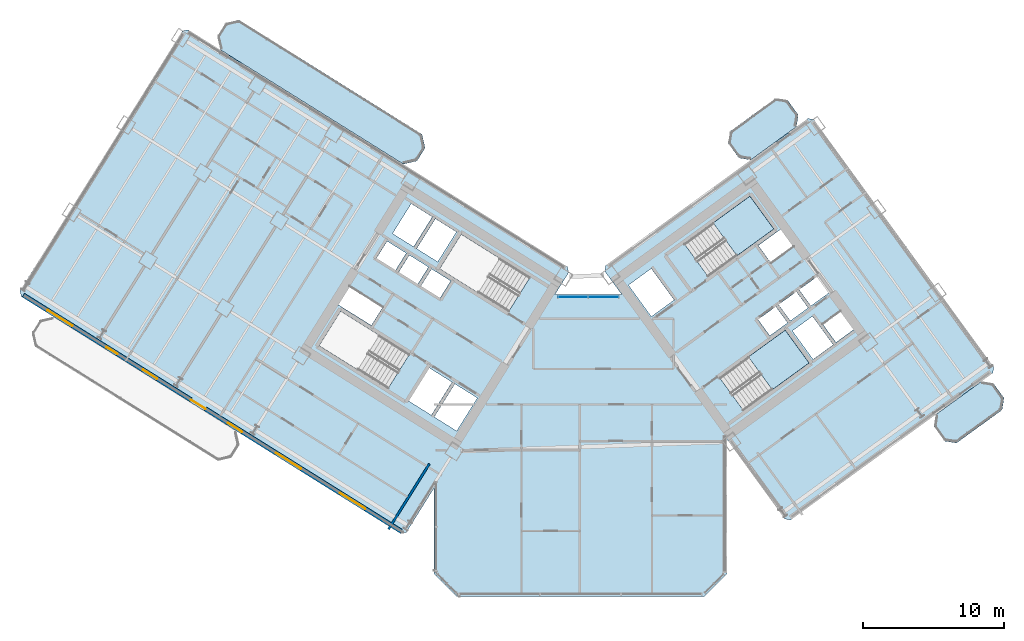
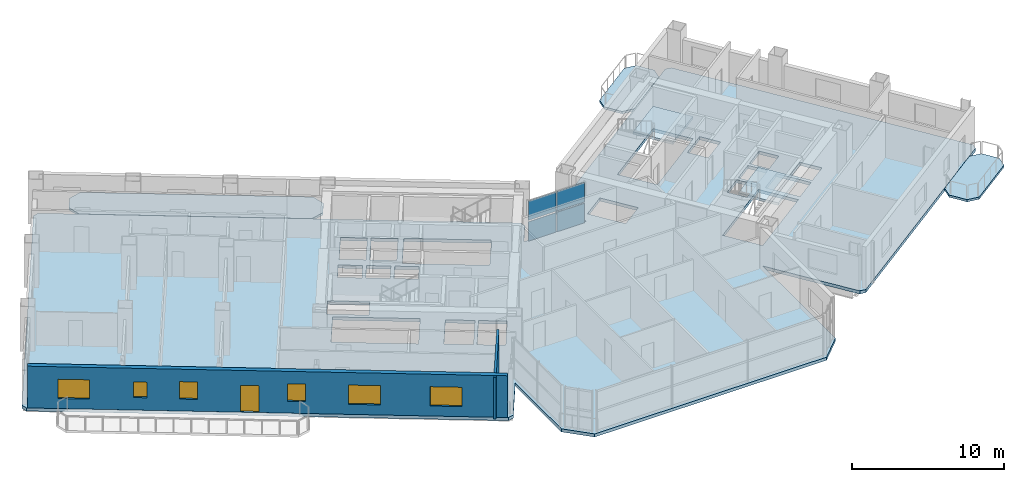
# One storey, part 14 of 28: 6 slabs, 6 windows, 4 plates, 2 walls, 1 door, 7 openings, 3 elements without a shape of their own.
"""IFC4 building model written with IfcOpenShell, lengths in metres."""

import ifcopenshell
import ifcopenshell.guid

model = None  # the IFC model being written
_history = None  # IfcOwnerHistory: only IFC2X3 demands one
_inside = {}  # id of a spatial element -> (the spatial element, [elements in it])
_under = {}  # id of a project, library or spatial element -> (it, [spatial elements below it])
_declared = {}  # id of a project -> (the project, [libraries it declares])
_typed = {}  # id of a type object -> (the type object, [elements of that type])
_made_of = {}  # id of a material, layer set ... -> (it, [elements and type objects made of it])


def new_model(schema):
    """Start an empty IFC model of exactly this schema.

    Asked for "IFC4X3", IfcOpenShell would pick the latest addendum, in which some entities
    have other attributes; the version numbers below select the first issue.
    IFC2X3 requires an IfcOwnerHistory on every rooted entity: one is made here for all.
    """
    global model, _history
    if schema == "IFC4X3":
        model = ifcopenshell.file(schema_version=(4, 3, 0, 0))
    else:
        model = ifcopenshell.file(schema=schema)
    _inside.clear()
    _under.clear()
    _declared.clear()
    _typed.clear()
    _made_of.clear()
    _history = None
    if model.schema == "IFC2X3":
        org = make("IfcOrganization", Name="unknown")
        user = make(
            "IfcPersonAndOrganization",
            ThePerson=make("IfcPerson", FamilyName="unknown"),
            TheOrganization=org,
        )
        app = make(
            "IfcApplication",
            ApplicationDeveloper=org,
            Version="unknown",
            ApplicationFullName="unknown",
            ApplicationIdentifier="unknown",
        )
        _history = make(
            "IfcOwnerHistory",
            OwningUser=user,
            OwningApplication=app,
            ChangeAction="ADDED",
            CreationDate=0,
        )
    return model


def make(cls, **values):
    """One entity of the class cls with the attributes given. An attribute that is None is left unset."""
    return model.create_entity(
        cls, **{name: value for name, value in values.items() if value is not None}
    )


def rooted(cls, **values):
    """An entity with a GlobalId (a new one), such as an element, a storey or a relation."""
    return make(cls, GlobalId=ifcopenshell.guid.new(), OwnerHistory=_history, **values)


def si_unit(unit_type, name, prefix=None):
    """IfcSIUnit, for example si_unit("LENGTHUNIT", "METRE", prefix="MILLI")."""
    return make("IfcSIUnit", UnitType=unit_type, Prefix=prefix, Name=name)


def assignment(units):
    """IfcUnitAssignment: the units of a project."""
    return None if units is None else make("IfcUnitAssignment", Units=units)


def point(xyz):
    """IfcCartesianPoint."""
    return None if xyz is None else make("IfcCartesianPoint", Coordinates=xyz)


def direction(xyz):
    """IfcDirection."""
    return None if xyz is None else make("IfcDirection", DirectionRatios=xyz)


def frame(location, z_axis=None, x_axis=None):
    """IfcAxis2Placement3D, a coordinate frame: its origin and axes. An axis left out is left unset."""
    return make(
        "IfcAxis2Placement3D",
        Location=point(location),
        Axis=direction(z_axis),
        RefDirection=direction(x_axis),
    )


def frame_2d(location, x_axis=None):
    """IfcAxis2Placement2D, a coordinate frame in the plane: its origin and x axis."""
    return make(
        "IfcAxis2Placement2D", Location=point(location), RefDirection=direction(x_axis)
    )


def origin():
    """The frame at (0, 0, 0) with its axes left unset."""
    return frame((0.0, 0.0, 0.0))


def origin_2d():
    """The frame at (0, 0) in the plane with its x axis left unset."""
    return frame_2d((0.0, 0.0))


def place(relative_to, where):
    """IfcLocalPlacement: puts the frame where relative to a parent placement (None: the world)."""
    return make(
        "IfcLocalPlacement", PlacementRelTo=relative_to, RelativePlacement=where
    )


def context(
    kind, dimensions, precision=None, world=None, true_north=None, identifier=None
):
    """IfcGeometricRepresentationContext, for example the 3D "Model" context."""
    return make(
        "IfcGeometricRepresentationContext",
        ContextIdentifier=identifier,
        ContextType=kind,
        CoordinateSpaceDimension=dimensions,
        Precision=precision,
        WorldCoordinateSystem=world,
        TrueNorth=true_north,
    )


def subcontext(parent, identifier, kind, view, scale=None):
    """IfcGeometricRepresentationSubContext, for example "Body" below "Model"."""
    return make(
        "IfcGeometricRepresentationSubContext",
        ContextIdentifier=identifier,
        ContextType=kind,
        ParentContext=parent,
        TargetScale=scale,
        TargetView=view,
    )


def project(units=None, contexts=None):
    """IfcProject with its units and contexts."""
    return rooted(
        "IfcProject",
        Name="project",
        RepresentationContexts=contexts,
        UnitsInContext=assignment(units),
    )


def spatial(cls, under=None, at=None, **own):
    """A site, building, storey or space (cls), placed at a placement, below another one or the project."""
    s = rooted(cls, ObjectPlacement=at, **own)
    if under is not None:
        _under.setdefault(under.id(), (under, []))[1].append(s)
    return s


def polyline(points):
    """IfcPolyline through the points."""
    return make("IfcPolyline", Points=[point(p) for p in points])


def profile(cls, at=None, kind="AREA", **sizes):
    """A parametric profile (cls). Its sizes go by their IFC names, for example OverallWidth=200.0."""
    return make(cls, ProfileType=kind, Position=at, **sizes)


def rectangle(**sizes):
    """IfcRectangleProfileDef."""
    return profile("IfcRectangleProfileDef", **sizes)


def outline(outer, holes=None, kind="AREA"):
    """IfcArbitraryClosedProfileDef: a profile drawn as a closed curve; with holes, ...WithVoids."""
    if holes is None:
        return make("IfcArbitraryClosedProfileDef", ProfileType=kind, OuterCurve=outer)
    return make(
        "IfcArbitraryProfileDefWithVoids",
        ProfileType=kind,
        OuterCurve=outer,
        InnerCurves=holes,
    )


def extrude(swept, where, along, depth):
    """IfcExtrudedAreaSolid: the profile swept, set in the frame where, extruded along a direction by depth."""
    return make(
        "IfcExtrudedAreaSolid",
        SweptArea=swept,
        Position=where,
        ExtrudedDirection=direction(along),
        Depth=depth,
    )


def shape(context_of_items, identifier, shape_type, items):
    """IfcShapeRepresentation: the items that make up one representation, for example the "Body"."""
    return make(
        "IfcShapeRepresentation",
        ContextOfItems=context_of_items,
        RepresentationIdentifier=identifier,
        RepresentationType=shape_type,
        Items=items,
    )


def source(mapping_origin, context_of_items, identifier, shape_type, items):
    """IfcRepresentationMap: a shape defined once, which mapped items show again and again."""
    return make(
        "IfcRepresentationMap",
        MappingOrigin=mapping_origin,
        MappedRepresentation=shape(context_of_items, identifier, shape_type, items),
    )


def transform(
    local_origin,
    x_axis=None,
    y_axis=None,
    z_axis=None,
    scale=None,
    scale2=None,
    scale3=None,
    uniform=True,
):
    """IfcCartesianTransformationOperator3D, or its non-uniform kind. x_axis, y_axis, z_axis: its Axis1, 2, 3."""
    if uniform:
        return make(
            "IfcCartesianTransformationOperator3D",
            Axis1=direction(x_axis),
            Axis2=direction(y_axis),
            LocalOrigin=point(local_origin),
            Scale=scale,
            Axis3=direction(z_axis),
        )
    return make(
        "IfcCartesianTransformationOperator3DnonUniform",
        Axis1=direction(x_axis),
        Axis2=direction(y_axis),
        LocalOrigin=point(local_origin),
        Scale=scale,
        Axis3=direction(z_axis),
        Scale2=scale2,
        Scale3=scale3,
    )


def mapped(mapping_source, mapping_target):
    """IfcMappedItem: shows the shape of a source again, moved by a transform."""
    return make(
        "IfcMappedItem", MappingSource=mapping_source, MappingTarget=mapping_target
    )


def material(Name=None, Category=None):
    """IfcMaterial."""
    return make("IfcMaterial", Name=Name, Category=Category)


def layer(
    of_material, thickness, ventilated=None, Name=None, Category=None, Priority=None
):
    """IfcMaterialLayer: one layer of a wall or slab, of a material (None: an air gap)."""
    return make(
        "IfcMaterialLayer",
        Material=of_material,
        LayerThickness=thickness,
        IsVentilated=ventilated,
        Name=Name,
        Category=Category,
        Priority=Priority,
    )


def layer_set(layers, Name=None):
    """IfcMaterialLayerSet."""
    return make("IfcMaterialLayerSet", MaterialLayers=layers, LayerSetName=Name)


def made_of(thing, what):
    """Note that an element or type object is made of a material, layer set ...; save() writes the relation."""
    if what is not None:
        _made_of.setdefault(what.id(), (what, []))[1].append(thing)
    return thing


def type_object(cls, material=None, **own):
    """A type object (cls), such as IfcWallType, which elements share."""
    return made_of(rooted(cls, **own), material)


def element(
    cls,
    number,
    at=None,
    inside=None,
    cuts=None,
    type_object=None,
    material=None,
    context=None,
    identifier="Body",
    shape_type=None,
    held_by="IfcProductDefinitionShape",
    body=None,
    shapes=None,
    **own,
):
    """One element of the class cls, such as IfcWall. Its Tag is "e" and its number.

    at: its placement. inside: the storey or other place that contains it. cuts: it is an
    opening in that element (IfcRelVoidsElement). A single representation is given by context,
    identifier, shape_type and body (its items); several are given by shapes. held_by: the class
    of the entity that holds the representations. save() writes the other relations.
    """
    e = rooted(cls, Tag="e%d" % number, ObjectPlacement=at, **own)
    if body is not None:
        shapes = [shape(context, identifier, shape_type, body)]
    if shapes is not None:
        e.Representation = make(held_by, Representations=shapes)
    if inside is not None:
        _inside.setdefault(inside.id(), (inside, []))[1].append(e)
    if cuts is not None:
        rooted(
            "IfcRelVoidsElement", RelatingBuildingElement=cuts, RelatedOpeningElement=e
        )
    if type_object is not None:
        _typed.setdefault(type_object.id(), (type_object, []))[1].append(e)
    return made_of(e, material)


def fill(opening, filler):
    """IfcRelFillsElement: the door or window that sits in an opening."""
    return rooted(
        "IfcRelFillsElement",
        RelatingOpeningElement=opening,
        RelatedBuildingElement=filler,
    )


def aggregate(whole, parts):
    """IfcRelAggregates: a whole, such as a stair, and the parts it consists of."""
    return rooted("IfcRelAggregates", RelatingObject=whole, RelatedObjects=parts)


def save(model, path):
    """Write the relations noted so far, then the file.

    IfcRelAggregates (storeys below a building ...), IfcRelContainedInSpatialStructure (elements
    in a storey), IfcRelDefinesByType, IfcRelAssociatesMaterial and IfcRelDeclares: one each for
    every whole, place, type object, material and project.
    """
    for whole, parts in _under.values():
        aggregate(whole, parts)
    for where, things in _inside.values():
        rooted(
            "IfcRelContainedInSpatialStructure",
            RelatedElements=things,
            RelatingStructure=where,
        )
    for kind, things in _typed.values():
        rooted("IfcRelDefinesByType", RelatedObjects=things, RelatingType=kind)
    for what, things in _made_of.values():
        rooted("IfcRelAssociatesMaterial", RelatedObjects=things, RelatingMaterial=what)
    for by, libraries in _declared.values():
        rooted("IfcRelDeclares", RelatingContext=by, RelatedDefinitions=libraries)
    model.write(path)


model = new_model("IFC4")

# Units and contexts
model_context = context("Model", 3, precision=1e-05, world=origin(), true_north=direction((0.0, 1.0)))
body_context = subcontext(model_context, "Body", "Model", "MODEL_VIEW")
ifc_project = project(units=[si_unit("LENGTHUNIT", "METRE"), si_unit("AREAUNIT", "SQUARE_METRE"), si_unit("VOLUMEUNIT", "CUBIC_METRE"), si_unit("PLANEANGLEUNIT", "RADIAN"), si_unit("MASSUNIT", "GRAM", prefix="KILO")], contexts=[model_context])

# Site, building, storey
site_placement = place(None, origin())
site = spatial("IfcSite", under=ifc_project, at=site_placement, CompositionType="ELEMENT")
building_placement = place(site_placement, origin())
building = spatial("IfcBuilding", under=site, at=building_placement, Name="Tlacorven Tower", CompositionType="ELEMENT")
storey_placement = place(building_placement, frame((0.0, 0.0, 42.0)))
storey = spatial("IfcBuildingStorey", under=building, at=storey_placement, Name="L10", CompositionType="ELEMENT", Elevation=42.0)

# Slabs
ifc_material_1 = material(Name="Precast concrete C45/55", Category="concrete")
ifc_layer_1 = layer(ifc_material_1, 0.179931640625)
ifc_layer_set_1 = layer_set([ifc_layer_1], Name="Precast concrete C45/55")
slab_type_1 = type_object("IfcSlabType", Name="SL-BAL-180", PredefinedType="USERDEFINED", material=ifc_layer_set_1)
slab_1_placement = place(storey_placement, frame((0.0, 0.0, -0.179931640625)))
element("IfcSlab", 1, at=slab_1_placement, inside=storey, type_object=slab_type_1, Name="L10 West Wing Balcony Ribbon IN", ObjectType="BALCONY SLAB", PredefinedType="USERDEFINED", context=body_context, shape_type="SweptSolid", body=[
    extrude(outline(polyline([(30.756591796875, 34.57763671875), (17.781494140625, 42.685546875), (16.81689453125, 42.462890625), (16.236572265625, 41.5341796875), (16.459228515625, 40.569580078125), (29.434326171875, 32.4619140625), (30.39892578125, 32.6845703125), (30.979248046875, 33.613037109375), (30.756591796875, 34.57763671875)])), origin(), (0.0, 0.0, 1.0), 0.179931640625),
])
slab_2_placement = place(storey_placement, frame((0.0, 0.0, -0.179931640625)))
element("IfcSlab", 2, at=slab_2_placement, inside=storey, type_object=slab_type_1, Name="L10 East Wing Balcony Ribbon OUT", ObjectType="BALCONY SLAB", PredefinedType="USERDEFINED", context=body_context, shape_type="SweptSolid", body=[
    extrude(outline(polyline([(68.669921875, 12.678955078125), (71.906005859375, 15.0302734375), (72.03857421875, 15.8681640625), (71.27734375, 16.916015625), (70.439453125, 17.048583984375), (67.203369140625, 14.697509765625), (67.070556640625, 13.859375), (67.831787109375, 12.811767578125), (68.669921875, 12.678955078125)])), origin(), (0.0, 0.0, 1.0), 0.179931640625),
])
slab_3_placement = place(storey_placement, frame((0.0, 0.0, -0.179931640625)))
element("IfcSlab", 3, at=slab_3_placement, inside=storey, type_object=slab_type_1, Name="L10 East Wing Balcony Ribbon IN", ObjectType="BALCONY SLAB", PredefinedType="USERDEFINED", context=body_context, shape_type="SweptSolid", body=[
    extrude(outline(polyline([(54.078125, 32.762939453125), (57.314208984375, 35.114013671875), (57.44677734375, 35.9521484375), (56.685791015625, 36.999755859375), (55.84765625, 37.132568359375), (52.611572265625, 34.78125), (52.478759765625, 33.943359375), (53.239990234375, 32.8955078125), (54.078125, 32.762939453125)])), origin(), (0.0, 0.0, 1.0), 0.179931640625),
])

# Stair, slab
ifc_material_2 = material(Name="Concrete C40/50", Category="concrete")
stair_type = type_object("IfcStairType", Name="ST-CORE-DLG", PredefinedType="HALF_TURN_STAIR", material=ifc_material_2)
stair_1_placement = place(storey_placement, origin())
stair_1 = element("IfcStair", 4, at=stair_1_placement, inside=storey, type_object=stair_type, Name="L10 Protected Exit Stair East 1", PredefinedType="HALF_TURN_STAIR")
ifc_layer_2 = layer(ifc_material_2, 0.199951171875)
ifc_layer_set_2 = layer_set([ifc_layer_2], Name="Concrete C40/50")
slab_type_2 = type_object("IfcSlabType", Name="SL-LND-200", PredefinedType="LANDING", material=ifc_layer_set_2)
slab_4_placement = place(storey_placement, frame((0.0, 0.0, 1.60009765625)))
slab_4 = element("IfcSlab", 5, at=slab_4_placement, type_object=slab_type_2, Name="ST-E1 landing 1", PredefinedType="LANDING", context=body_context, shape_type="SweptSolid", body=[
    extrude(outline(polyline([(53.09765625, 25.962890625), (55.7109375, 27.861572265625), (54.01806640625, 30.19140625), (51.40478515625, 28.29296875), (53.09765625, 25.962890625)])), origin(), (0.0, 0.0, 1.0), 0.199951171875),
])
aggregate(stair_1, [slab_4])

stair_2_placement = place(storey_placement, origin())
stair_2 = element("IfcStair", 6, at=stair_2_placement, inside=storey, type_object=stair_type, Name="L10 Protected Exit Stair East 2", PredefinedType="HALF_TURN_STAIR")
slab_5_placement = place(storey_placement, frame((0.0, 0.0, 1.60009765625)))
slab_5 = element("IfcSlab", 7, at=slab_5_placement, type_object=slab_type_2, Name="ST-E2 landing 1", PredefinedType="LANDING", context=body_context, shape_type="SweptSolid", body=[
    extrude(outline(polyline([(55.601806640625, 16.4599609375), (58.21484375, 18.3583984375), (56.52197265625, 20.6884765625), (53.908935546875, 18.789794921875), (55.601806640625, 16.4599609375)])), origin(), (0.0, 0.0, 1.0), 0.199951171875),
])
aggregate(stair_2, [slab_5])

# Slab
ifc_layer_3 = layer(ifc_material_2, 0.25)
ifc_layer_set_3 = layer_set([ifc_layer_3], Name="Concrete C40/50")
slab_type_3 = type_object("IfcSlabType", Name="SL-TWR-250", PredefinedType="FLOOR", material=ifc_layer_set_3)
slab_6_placement = place(storey_placement, frame((0.0, 0.0, -0.25)))
element("IfcSlab", 8, at=slab_6_placement, inside=storey, type_object=slab_type_3, Name="L10 Boomerang Tower Floor Slab", PredefinedType="FLOOR", context=body_context, shape_type="SweptSolid", body=[
    extrude(outline(polyline([(52.39990234375, 3.39990234375), (50.800048828125, 1.800048828125), (33.199951171875, 1.800048828125), (31.60009765625, 3.39990234375), (31.60009765625, 9.470703125), (29.652587890625, 6.35400390625), (29.2392578125, 6.258544921875), (2.339111328125, 23.067626953125), (2.24365234375, 23.481201171875), (13.75341796875, 41.900634765625), (14.1669921875, 41.99609375), (41.06689453125, 25.18701171875), (41.162353515625, 24.773681640625), (40.178955078125, 23.199951171875), (44.932373046875, 23.199951171875), (43.723876953125, 24.86328125), (43.790283203125, 25.2822265625), (58.1259765625, 35.69775390625), (58.545166015625, 35.63134765625), (71.311767578125, 18.0595703125), (71.245361328125, 17.640380859375), (56.90966796875, 7.224853515625), (56.49072265625, 7.291259765625), (52.39990234375, 12.921630859375), (52.39990234375, 3.39990234375)]), holes=[polyline([(29.865478515625, 18.979736328125), (24.9892578125, 22.02685546875), (23.463134765625, 19.58447265625), (28.33935546875, 16.537353515625), (29.865478515625, 18.979736328125)]), polyline([(38.4169921875, 24.4375), (33.540771484375, 27.484375), (32.0146484375, 25.0419921875), (36.890869140625, 21.9951171875), (38.4169921875, 24.4375)]), polyline([(51.05908203125, 24.481689453125), (55.7109375, 27.861572265625), (54.01806640625, 30.19140625), (49.3662109375, 26.811767578125), (51.05908203125, 24.481689453125)]), polyline([(53.56298828125, 14.978759765625), (58.21484375, 18.3583984375), (56.52197265625, 20.6884765625), (51.8701171875, 17.30859375), (53.56298828125, 14.978759765625)]), polyline([(34.682373046875, 15.87548828125), (33.088134765625, 16.871826171875), (31.62548828125, 14.531005859375), (33.2197265625, 13.534912109375), (34.682373046875, 15.87548828125)]), polyline([(32.884521484375, 16.9990234375), (31.2392578125, 18.02685546875), (29.77685546875, 15.686279296875), (31.421875, 14.658203125), (32.884521484375, 16.9990234375)]), polyline([(47.0234375, 21.648681640625), (48.6416015625, 22.82421875), (47.019287109375, 25.05712890625), (45.401123046875, 23.881591796875), (47.0234375, 21.648681640625)]), polyline([(33.197265625, 27.65185546875), (31.704833984375, 28.58447265625), (30.3798828125, 26.46435546875), (31.87255859375, 25.53173828125), (33.197265625, 27.65185546875)]), polyline([(31.484375, 28.722412109375), (29.99169921875, 29.655029296875), (28.6669921875, 27.534912109375), (30.159423828125, 26.602294921875), (31.484375, 28.722412109375)]), polyline([(32.794921875, 24.17724609375), (31.43798828125, 25.025146484375), (30.685546875, 23.82080078125), (32.042236328125, 22.972900390625), (32.794921875, 24.17724609375)]), polyline([(31.217529296875, 25.162841796875), (29.860595703125, 26.0107421875), (29.108154296875, 24.806396484375), (30.465087890625, 23.958740234375), (31.217529296875, 25.162841796875)]), polyline([(29.64013671875, 26.1484375), (28.283203125, 26.996337890625), (27.53076171875, 25.792236328125), (28.8876953125, 24.9443359375), (29.64013671875, 26.1484375)]), polyline([(55.427734375, 20.288818359375), (56.68994140625, 21.205810546875), (55.855224609375, 22.354736328125), (54.59326171875, 21.437744140625), (55.427734375, 20.288818359375)]), polyline([(56.884033203125, 21.346923828125), (58.146240234375, 22.263916015625), (57.3115234375, 23.41259765625), (56.04931640625, 22.495849609375), (56.884033203125, 21.346923828125)]), polyline([(58.34033203125, 22.405029296875), (59.602294921875, 23.322021484375), (58.767578125, 24.470703125), (57.505615234375, 23.5537109375), (58.34033203125, 22.405029296875)]), polyline([(58.498779296875, 18.614013671875), (59.922607421875, 19.648681640625), (58.453125, 21.671142578125), (57.029296875, 20.63671875), (58.498779296875, 18.614013671875)]), polyline([(27.96142578125, 22.2919921875), (25.603759765625, 23.76513671875), (24.80908203125, 22.4931640625), (27.16650390625, 21.02001953125), (27.96142578125, 22.2919921875)]), polyline([(55.490478515625, 25.4765625), (57.092529296875, 26.640380859375), (56.210693359375, 27.85400390625), (54.60888671875, 26.690185546875), (55.490478515625, 25.4765625)]), polyline([(60.12109375, 19.817626953125), (61.38330078125, 20.734619140625), (60.45458984375, 22.012939453125), (59.192626953125, 21.095947265625), (60.12109375, 19.817626953125)])]), origin(), (0.0, 0.0, 1.0), 0.25),
])

# Curtain wall, plates
ifc_material_3 = material(Name="Dark solar low-E double glazing in aluminium frame", Category="aluminium")
curtain_wall_type = type_object("IfcCurtainWallType", Name="CW-TWR-LOW", PredefinedType="USERDEFINED", material=ifc_material_3)
curtain_wall_placement = place(storey_placement, origin())
curtain_wall = element("IfcCurtainWall", 9, at=curtain_wall_placement, inside=storey, type_object=curtain_wall_type, Name="L10 CW-TWR-LOW Curtain Wall 56", ObjectType="UNITISED CURTAIN WALL", PredefinedType="USERDEFINED")
ifc_material_4 = material(Name="Dark solar double low-E glazing", Category="glass")
ifc_layer_4 = layer(ifc_material_4, 0.031982421875)
ifc_layer_set_4 = layer_set([ifc_layer_4], Name="Dark solar double low-E glazing")
plate_type = type_object("IfcPlateType", Name="CWP-02", PredefinedType="CURTAIN_PANEL", material=ifc_layer_set_4)
shared_shape_1 = source(origin(), body_context, "Body", "SweptSolid", [
    extrude(rectangle(XDim=2.110595703125, YDim=0.031982421875, at=origin_2d()), origin(), (0.0, 0.0, 1.0), 1.552978515625),
])
plate_1_placement = place(storey_placement, frame((41.47802734375, 23.0400390625, 0.06103515625), z_axis=(0.0, 0.0, 1.0), x_axis=(1.0, 0.0, 0.0)))
plate_1 = element("IfcPlate", 10, at=plate_1_placement, type_object=plate_type, Name="CW-L10-056 Glazing Panel 1", PredefinedType="CURTAIN_PANEL", context=body_context, shape_type="MappedRepresentation", body=[
    mapped(shared_shape_1, transform((0.0, 0.0, 0.0), scale=1.0)),
])
plate_2_placement = place(storey_placement, frame((41.47802734375, 23.0400390625, 1.73583984375), z_axis=(0.0, 0.0, 1.0), x_axis=(1.0, 0.0, 0.0)))
plate_2 = element("IfcPlate", 11, at=plate_2_placement, type_object=plate_type, Name="CW-L10-056 Glazing Panel 2", PredefinedType="CURTAIN_PANEL", context=body_context, shape_type="MappedRepresentation", body=[
    mapped(shared_shape_1, transform((0.0, 0.0, 0.0), scale=1.0)),
])
plate_3_placement = place(storey_placement, frame((43.640625, 23.0400390625, 0.06103515625), z_axis=(0.0, 0.0, 1.0), x_axis=(1.0, 0.0, 0.0)))
plate_3 = element("IfcPlate", 12, at=plate_3_placement, type_object=plate_type, Name="CW-L10-056 Glazing Panel 3", PredefinedType="CURTAIN_PANEL", context=body_context, shape_type="MappedRepresentation", body=[
    mapped(shared_shape_1, transform((0.0, 0.0, 0.0), scale=1.0)),
])
plate_4_placement = place(storey_placement, frame((43.640625, 23.0400390625, 1.73583984375), z_axis=(0.0, 0.0, 1.0), x_axis=(1.0, 0.0, 0.0)))
plate_4 = element("IfcPlate", 13, at=plate_4_placement, type_object=plate_type, Name="CW-L10-056 Glazing Panel 4", PredefinedType="CURTAIN_PANEL", context=body_context, shape_type="MappedRepresentation", body=[
    mapped(shared_shape_1, transform((0.0, 0.0, 0.0), scale=1.0)),
])
aggregate(curtain_wall, [plate_1, plate_2, plate_3, plate_4])

# Wall
ifc_material_5 = material(Name="Gypsum plasterboard acoustic partition", Category="gypsum")
ifc_layer_5 = layer(ifc_material_5, 0.159912109375)
ifc_layer_set_5 = layer_set([ifc_layer_5], Name="Gypsum plasterboard acoustic partition")
wall_type_1 = type_object("IfcWallType", Name="WL-DEM-160", PredefinedType="PARTITIONING", material=ifc_layer_set_5)
wall_1_placement = place(storey_placement, frame((31.282470703125, 11.2080078125, 0.0), z_axis=(0.0, 0.0, 1.0), x_axis=(-0.529938869374, -0.84803584519, 0.0)))
element("IfcWall", 14, at=wall_1_placement, inside=storey, type_object=wall_type_1, Name="L10 WC West Throat Wall", PredefinedType="PARTITIONING", context=body_context, shape_type="SweptSolid", body=[
    extrude(rectangle(XDim=5.47998046875, YDim=0.159912109375, at=frame_2d((2.739990234375, 0.0))), origin(), (0.0, 0.0, 1.0), 3.340087890625),
])

# Wall, openings, door, windows
ifc_layer_6 = layer(ifc_material_1, 0.320068359375)
ifc_layer_set_6 = layer_set([ifc_layer_6], Name="Precast concrete C45/55")
wall_type_2 = type_object("IfcWallType", Name="WL-EXT-320", PredefinedType="STANDARD", material=ifc_layer_set_6)
wall_2_placement = place(storey_placement, frame((29.267822265625, 6.429443359375, 0.0), z_axis=(0.0, 0.0, 1.0), x_axis=(-0.848049971435, 0.529916263149, 0.0)))
wall_2 = element("IfcWall", 15, at=wall_2_placement, inside=storey, type_object=wall_type_2, Name="L10 Masonry-Frame Recessed Facade Wall 1", PredefinedType="STANDARD", context=body_context, shape_type="SweptSolid", body=[
    extrude(rectangle(XDim=31.587646484375, YDim=0.320068359375, at=frame_2d((15.7939453125, 0.0))), origin(), (0.0, 0.0, 1.0), 3.35009765625),
])
opening_1_placement = place(wall_2_placement, frame((16.36181640625, 0.0, 0.0)))
opening_1 = element("IfcOpeningElement", 16, at=opening_1_placement, cuts=wall_2, Name="Opening D05", PredefinedType="OPENING", context=body_context, shape_type="SweptSolid", body=[
    extrude(rectangle(XDim=1.199951171875, YDim=2.14990234375, at=frame_2d((0.60009765625, 1.074951171875))), frame((0.0, 0.169921875, 0.0), z_axis=(0.0, -1.0, 0.0), x_axis=(1.0, 0.0, 0.0)), (0.0, 0.0, 1.0), 0.340087890625),
])
opening_2_placement = place(wall_2_placement, frame((2.98876953125, 0.0, 0.800048828125)))
opening_2 = element("IfcOpeningElement", 17, at=opening_2_placement, cuts=wall_2, Name="Opening WN04", PredefinedType="OPENING", context=body_context, shape_type="SweptSolid", body=[
    extrude(rectangle(XDim=2.10009765625, YDim=1.550048828125, at=frame_2d((1.050048828125, 0.77490234375))), frame((0.0, 0.169921875, 0.0), z_axis=(0.0, -1.0, 0.0), x_axis=(1.0, 0.0, 0.0)), (0.0, 0.0, 1.0), 0.340087890625),
])
opening_3_placement = place(wall_2_placement, frame((8.358642578125, 0.0, 0.800048828125)))
opening_3 = element("IfcOpeningElement", 18, at=opening_3_placement, cuts=wall_2, Name="Opening WN04", PredefinedType="OPENING", context=body_context, shape_type="SweptSolid", body=[
    extrude(rectangle(XDim=2.10009765625, YDim=1.550048828125, at=frame_2d((1.050048828125, 0.77490234375))), frame((0.0, 0.169921875, 0.0), z_axis=(0.0, -1.0, 0.0), x_axis=(1.0, 0.0, 0.0)), (0.0, 0.0, 1.0), 0.340087890625),
])
opening_4_placement = place(wall_2_placement, frame((13.28369140625, 0.0, 0.949951171875)))
opening_4 = element("IfcOpeningElement", 19, at=opening_4_placement, cuts=wall_2, Name="Opening WN03", PredefinedType="OPENING", context=body_context, shape_type="SweptSolid", body=[
    extrude(rectangle(XDim=1.199951171875, YDim=1.39990234375, at=frame_2d((0.60009765625, 0.699951171875))), frame((0.0, 0.169921875, 0.0), z_axis=(0.0, -1.0, 0.0), x_axis=(1.0, 0.0, 0.0)), (0.0, 0.0, 1.0), 0.340087890625),
])
opening_5_placement = place(wall_2_placement, frame((20.39013671875, 0.0, 0.949951171875)))
opening_5 = element("IfcOpeningElement", 20, at=opening_5_placement, cuts=wall_2, Name="Opening WN03", PredefinedType="OPENING", context=body_context, shape_type="SweptSolid", body=[
    extrude(rectangle(XDim=1.199951171875, YDim=1.39990234375, at=frame_2d((0.60009765625, 0.699951171875))), frame((0.0, 0.169921875, 0.0), z_axis=(0.0, -1.0, 0.0), x_axis=(1.0, 0.0, 0.0)), (0.0, 0.0, 1.0), 0.340087890625),
])
opening_6_placement = place(wall_2_placement, frame((23.715087890625, 0.0, 1.0)))
opening_6 = element("IfcOpeningElement", 21, at=opening_6_placement, cuts=wall_2, Name="Opening WN05", PredefinedType="OPENING", context=body_context, shape_type="SweptSolid", body=[
    extrude(rectangle(XDim=0.89990234375, YDim=1.25, at=frame_2d((0.449951171875, 0.625))), frame((0.0, 0.169921875, 0.0), z_axis=(0.0, -1.0, 0.0), x_axis=(1.0, 0.0, 0.0)), (0.0, 0.0, 1.0), 0.340087890625),
])
opening_7_placement = place(wall_2_placement, frame((27.480712890625, 0.0, 0.800048828125)))
opening_7 = element("IfcOpeningElement", 22, at=opening_7_placement, cuts=wall_2, Name="Opening WN04", PredefinedType="OPENING", context=body_context, shape_type="SweptSolid", body=[
    extrude(rectangle(XDim=2.10009765625, YDim=1.550048828125, at=frame_2d((1.050048828125, 0.77490234375))), frame((0.0, 0.169921875, 0.0), z_axis=(0.0, -1.0, 0.0), x_axis=(1.0, 0.0, 0.0)), (0.0, 0.0, 1.0), 0.340087890625),
])
ifc_material_6 = material(Name="Powder-coated aluminium and timber door", Category="wood")
door_type = type_object("IfcDoorType", Name="DR-EXT-BALC-1200", OperationType="NOTDEFINED", PredefinedType="DOOR", material=ifc_material_6)
shared_shape_2 = source(origin(), body_context, "Body", "SweptSolid", [
    extrude(rectangle(XDim=1.199951171875, YDim=2.14990234375, at=frame_2d((0.60009765625, 1.074951171875))), frame((0.0, 0.02490234375, 0.0), z_axis=(0.0, -1.0, 0.0), x_axis=(1.0, 0.0, 0.0)), (0.0, 0.0, 1.0), 0.050048828125),
])
door_placement = place(opening_1_placement, origin())
door = element("IfcDoor", 23, at=door_placement, inside=storey, type_object=door_type, Name="L10 Outdoor Access Door BAL-L10-W-OUT", OperationType="SINGLE_SWING_LEFT", OverallHeight=2.14990234375, OverallWidth=1.199951171875, PredefinedType="DOOR", context=body_context, shape_type="MappedRepresentation", body=[
    mapped(shared_shape_2, transform((0.0, 0.0, 0.0), scale=1.0)),
])
fill(opening_1, door)
ifc_material_7 = material(Name="Dark solar low-E double glazing in anodised aluminium frame", Category="aluminium")
window_type_1 = type_object("IfcWindowType", Name="WN-APT-2100X1750", PartitioningType="SINGLE_PANEL", PredefinedType="WINDOW", material=ifc_material_7)
shared_shape_3 = source(origin(), body_context, "Body", "SweptSolid", [
    extrude(rectangle(XDim=2.10009765625, YDim=1.550048828125, at=frame_2d((1.050048828125, 0.77490234375))), frame((0.0, 0.030029296875, 0.0), z_axis=(0.0, -1.0, 0.0), x_axis=(1.0, 0.0, 0.0)), (0.0, 0.0, 1.0), 0.06005859375),
])
window_1_placement = place(opening_2_placement, origin())
window_1 = element("IfcWindow", 24, at=window_1_placement, inside=storey, type_object=window_type_1, Name="L10 Recessed Masonry-Frame Window L10-01.1", OverallHeight=1.550048828125, OverallWidth=2.10009765625, PartitioningType="SINGLE_PANEL", PredefinedType="WINDOW", context=body_context, shape_type="MappedRepresentation", body=[
    mapped(shared_shape_3, transform((0.0, 0.0, 0.0), scale=1.0)),
])
fill(opening_2, window_1)
window_2_placement = place(opening_3_placement, origin())
window_2 = element("IfcWindow", 25, at=window_2_placement, inside=storey, type_object=window_type_1, Name="L10 Recessed Masonry-Frame Window L10-01.2", OverallHeight=1.550048828125, OverallWidth=2.10009765625, PartitioningType="SINGLE_PANEL", PredefinedType="WINDOW", context=body_context, shape_type="MappedRepresentation", body=[
    mapped(shared_shape_3, transform((0.0, 0.0, 0.0), scale=1.0)),
])
fill(opening_3, window_2)
window_3_placement = place(opening_7_placement, origin())
window_3 = element("IfcWindow", 26, at=window_3_placement, inside=storey, type_object=window_type_1, Name="L10 Recessed Masonry-Frame Window L10-01.6", OverallHeight=1.550048828125, OverallWidth=2.10009765625, PartitioningType="SINGLE_PANEL", PredefinedType="WINDOW", context=body_context, shape_type="MappedRepresentation", body=[
    mapped(shared_shape_3, transform((0.0, 0.0, 0.0), scale=1.0)),
])
fill(opening_7, window_3)
window_type_2 = type_object("IfcWindowType", Name="WN-APT-1200X1500", PartitioningType="SINGLE_PANEL", PredefinedType="WINDOW", material=ifc_material_7)
shared_shape_4 = source(origin(), body_context, "Body", "SweptSolid", [
    extrude(rectangle(XDim=1.199951171875, YDim=1.39990234375, at=frame_2d((0.60009765625, 0.699951171875))), frame((0.0, 0.030029296875, 0.0), z_axis=(0.0, -1.0, 0.0), x_axis=(1.0, 0.0, 0.0)), (0.0, 0.0, 1.0), 0.06005859375),
])
window_4_placement = place(opening_4_placement, origin())
window_4 = element("IfcWindow", 27, at=window_4_placement, inside=storey, type_object=window_type_2, Name="L10 Recessed Masonry-Frame Window L10-01.3", OverallHeight=1.39990234375, OverallWidth=1.199951171875, PartitioningType="SINGLE_PANEL", PredefinedType="WINDOW", context=body_context, shape_type="MappedRepresentation", body=[
    mapped(shared_shape_4, transform((0.0, 0.0, 0.0), scale=1.0)),
])
fill(opening_4, window_4)
window_5_placement = place(opening_5_placement, origin())
window_5 = element("IfcWindow", 28, at=window_5_placement, inside=storey, type_object=window_type_2, Name="L10 Recessed Masonry-Frame Window L10-01.4", OverallHeight=1.39990234375, OverallWidth=1.199951171875, PartitioningType="SINGLE_PANEL", PredefinedType="WINDOW", context=body_context, shape_type="MappedRepresentation", body=[
    mapped(shared_shape_4, transform((0.0, 0.0, 0.0), scale=1.0)),
])
fill(opening_5, window_5)
window_type_3 = type_object("IfcWindowType", Name="WN-APT-0900X1350", PartitioningType="SINGLE_PANEL", PredefinedType="WINDOW", material=ifc_material_7)
shared_shape_5 = source(origin(), body_context, "Body", "SweptSolid", [
    extrude(rectangle(XDim=0.89990234375, YDim=1.25, at=frame_2d((0.449951171875, 0.625))), frame((0.0, 0.030029296875, 0.0), z_axis=(0.0, -1.0, 0.0), x_axis=(1.0, 0.0, 0.0)), (0.0, 0.0, 1.0), 0.06005859375),
])
window_6_placement = place(opening_6_placement, origin())
window_6 = element("IfcWindow", 29, at=window_6_placement, inside=storey, type_object=window_type_3, Name="L10 Recessed Masonry-Frame Window L10-01.5", OverallHeight=1.25, OverallWidth=0.89990234375, PartitioningType="SINGLE_PANEL", PredefinedType="WINDOW", context=body_context, shape_type="MappedRepresentation", body=[
    mapped(shared_shape_5, transform((0.0, 0.0, 0.0), scale=1.0)),
])
fill(opening_6, window_6)

save(model, "model.ifc")
